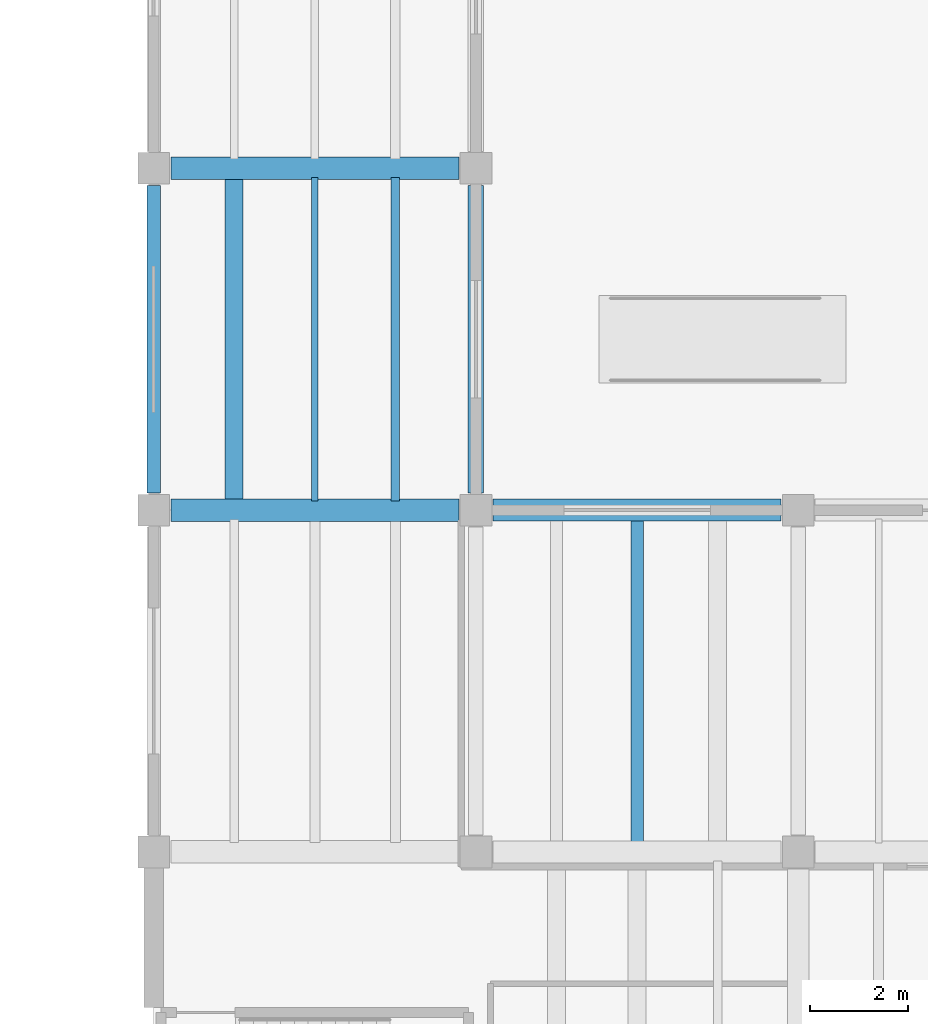
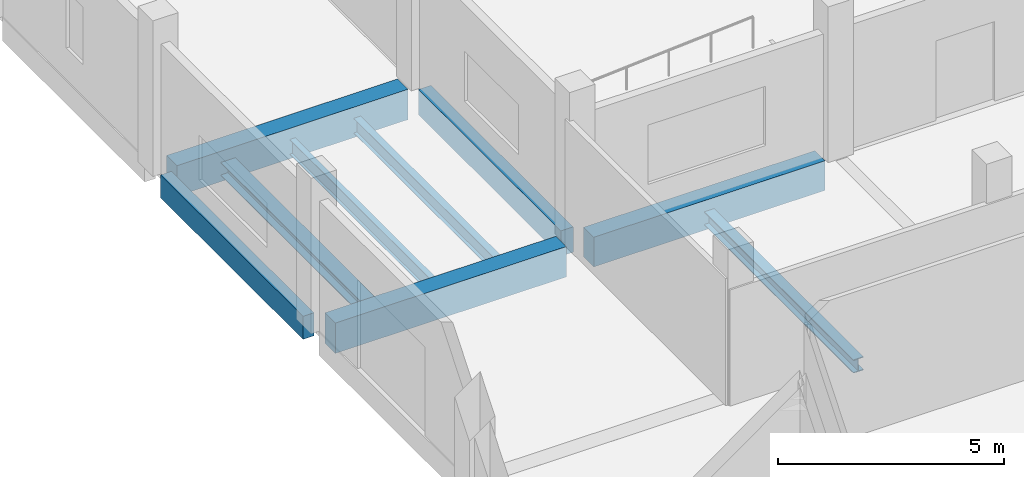
# One storey, part 9 of 69: 9 beams.
"""IFC4 building model written with IfcOpenShell, lengths in metres."""

from ifc_helpers import new_model, si_unit, direction, frame, origin, origin_2d, place, context, subcontext, project, spatial, rectangle, i_section, extrude, material, material_profile, profile_set, type_object, element, save


model = new_model("IFC4")

# Units and contexts
model_context = context("Model", 3, precision=1e-05, world=origin(), true_north=direction((0.0, 1.0)))
body_context = subcontext(model_context, "Body", "Model", "MODEL_VIEW")
ifc_project = project(units=[si_unit("LENGTHUNIT", "METRE"), si_unit("AREAUNIT", "SQUARE_METRE"), si_unit("VOLUMEUNIT", "CUBIC_METRE"), si_unit("PLANEANGLEUNIT", "RADIAN"), si_unit("MASSUNIT", "GRAM", prefix="KILO")], contexts=[model_context])

# Site, building, storey
site_placement = place(None, origin())
site = spatial("IfcSite", under=ifc_project, at=site_placement, CompositionType="ELEMENT")
building_placement = place(site_placement, origin())
building = spatial("IfcBuilding", under=site, at=building_placement, Name="Ciguamira Faculty of Natural Sciences", CompositionType="ELEMENT")
storey_placement = place(building_placement, origin())
storey = spatial("IfcBuildingStorey", under=building, at=storey_placement, Name="L00", CompositionType="ELEMENT", Elevation=0.0)

# Beams
ifc_material_1 = material(Name="Concrete C40/50", Category="concrete")
ifc_material_profile_1 = material_profile(ifc_material_1, rectangle(XDim=0.4599609375, YDim=0.820068359375, at=origin_2d()), Name="RC-BM-460X820")
ifc_profile_set_1 = profile_set([ifc_material_profile_1], Name="Concrete C40/50")
beam_type_1 = type_object("IfcBeamType", Name="RCBeam_BG-04_RC-BM-460X820", PredefinedType="BEAM", material=ifc_profile_set_1)
for number, where, z_axis, x_axis, name in (
    (1, (57.64990234375, 59.0, -0.409912109375), (1.0, 0.0, 0.0), (0.0, 1.0, 0.0), "L00 RC girder EW-0118"),
    (2, (57.64990234375, 66.0, -0.409912109375), (1.0, 0.0, 0.0), (0.0, 1.0, 0.0), "L00 RC girder EW-0127"),
):
    element("IfcBeam", number, at=place(storey_placement, frame(where, z_axis=z_axis, x_axis=x_axis)), inside=storey, type_object=beam_type_1, Name=name, PredefinedType="BEAM", context=body_context, shape_type="SweptSolid", body=[
        extrude(rectangle(XDim=0.4599609375, YDim=0.820068359375, at=origin_2d()), origin(), (0.0, 0.0, 1.0), 5.900146484375),
    ])
ifc_material_profile_2 = material_profile(ifc_material_1, rectangle(XDim=0.449951171875, YDim=0.800048828125, at=origin_2d()), Name="RC-BM-450X800")
ifc_profile_set_2 = profile_set([ifc_material_profile_2], Name="Concrete C40/50")
beam_type_2 = type_object("IfcBeamType", Name="RCBeam_BG-05_RC-BM-450X800", PredefinedType="BEAM", material=ifc_profile_set_2)
beam_1_placement = place(storey_placement, frame((64.25, 59.0, -0.39990234375), z_axis=(1.0, 0.0, 0.0), x_axis=(0.0, 1.0, 0.0)))
element("IfcBeam", 3, at=beam_1_placement, inside=storey, type_object=beam_type_2, Name="L00 RC girder EW-0119", PredefinedType="BEAM", context=body_context, shape_type="SweptSolid", body=[
    extrude(rectangle(XDim=0.449951171875, YDim=0.800048828125, at=origin_2d()), origin(), (0.0, 0.0, 1.0), 5.89990234375),
])
ifc_material_2 = material(Name="Precast concrete C40/50", Category="concrete")
ifc_material_profile_3 = material_profile(ifc_material_2, rectangle(XDim=0.280029296875, YDim=0.6201171875, at=origin_2d()), Name="RC-SP-280X620")
ifc_profile_set_3 = profile_set([ifc_material_profile_3], Name="Precast concrete C40/50")
beam_type_3 = type_object("IfcBeamType", Name="RCBeam_SP-01_RC-SP-280X620", PredefinedType="SPANDREL", material=ifc_profile_set_3)
beam_2_placement = place(storey_placement, frame((57.300048828125, 59.35009765625, -0.31005859375), z_axis=(0.0, 1.0, 0.0), x_axis=(-1.0, 0.0, 0.0)))
element("IfcBeam", 4, at=beam_2_placement, inside=storey, type_object=beam_type_3, Name="L00 girder NS-0222", PredefinedType="SPANDREL", context=body_context, shape_type="SweptSolid", body=[
    extrude(rectangle(XDim=0.280029296875, YDim=0.6201171875, at=origin_2d()), origin(), (0.0, 0.0, 1.0), 6.2998046875),
])
ifc_material_profile_4 = material_profile(ifc_material_2, rectangle(XDim=0.320068359375, YDim=0.679931640625, at=origin_2d()), Name="RC-SP-320X680")
ifc_profile_set_4 = profile_set([ifc_material_profile_4], Name="Precast concrete C40/50")
beam_type_4 = type_object("IfcBeamType", Name="RCBeam_SP-02_RC-SP-320X680", PredefinedType="SPANDREL", material=ifc_profile_set_4)
beam_3_placement = place(storey_placement, frame((63.89990234375, 59.35009765625, -0.340087890625), z_axis=(0.0, 1.0, 0.0), x_axis=(-1.0, 0.0, 0.0)))
element("IfcBeam", 5, at=beam_3_placement, inside=storey, type_object=beam_type_4, Name="L00 girder NS-0234", PredefinedType="SPANDREL", context=body_context, shape_type="SweptSolid", body=[
    extrude(rectangle(XDim=0.320068359375, YDim=0.679931640625, at=origin_2d()), origin(), (0.0, 0.0, 1.0), 6.2998046875),
])
ifc_material_3 = material(Name="Steel ASTM A992 Grade 50", Category="steel")
ifc_material_profile_5 = material_profile(ifc_material_3, i_section(OverallWidth=0.256591796875, OverallDepth=0.36328125, WebThickness=0.012939453125, FlangeThickness=0.021728515625, at=origin_2d()), Name="W14X82")
ifc_profile_set_5 = profile_set([ifc_material_profile_5], Name="Steel ASTM A992 Grade 50")
beam_type_5 = type_object("IfcBeamType", Name="SteelJoist_SJ-15_W14X82", PredefinedType="JOIST", material=ifc_profile_set_5)
beam_4_placement = place(storey_placement, frame((67.199951171875, 52.18505859375, -0.481689453125), z_axis=(0.0, 1.0, 0.0), x_axis=(-1.0, 0.0, 0.0)))
element("IfcBeam", 6, at=beam_4_placement, inside=storey, type_object=beam_type_5, Name="L00 composite steel joist 00105", PredefinedType="JOIST", context=body_context, shape_type="SweptSolid", body=[
    extrude(i_section(OverallWidth=0.256591796875, OverallDepth=0.36328125, WebThickness=0.012939453125, FlangeThickness=0.021728515625, at=origin_2d()), origin(), (0.0, 0.0, 1.0), 6.6298828125),
])
ifc_material_profile_6 = material_profile(ifc_material_3, i_section(OverallWidth=0.368408203125, OverallDepth=0.355712890625, WebThickness=0.01123046875, FlangeThickness=0.01806640625, at=origin_2d()), Name="W14X90")
ifc_profile_set_6 = profile_set([ifc_material_profile_6], Name="Steel ASTM A992 Grade 50")
beam_type_6 = type_object("IfcBeamType", Name="SteelJoist_SJ-16_W14X90", PredefinedType="JOIST", material=ifc_profile_set_6)
beam_5_placement = place(storey_placement, frame((58.949951171875, 59.18994140625, -0.477783203125), z_axis=(0.0, 1.0, 0.0), x_axis=(-1.0, 0.0, 0.0)))
element("IfcBeam", 7, at=beam_5_placement, inside=storey, type_object=beam_type_6, Name="L00 composite steel joist 00074", PredefinedType="JOIST", context=body_context, shape_type="SweptSolid", body=[
    extrude(i_section(OverallWidth=0.368408203125, OverallDepth=0.355712890625, WebThickness=0.01123046875, FlangeThickness=0.01806640625, at=origin_2d()), origin(), (0.0, 0.0, 1.0), 6.6201171875),
])
ifc_material_profile_7 = material_profile(ifc_material_3, i_section(OverallWidth=0.140380859375, OverallDepth=0.40380859375, WebThickness=0.007080078125, FlangeThickness=0.01123046875, at=origin_2d()), Name="W16X31")
ifc_profile_set_7 = profile_set([ifc_material_profile_7], Name="Steel ASTM A992 Grade 50")
beam_type_7 = type_object("IfcBeamType", Name="SteelJoist_SJ-17_W16X31", PredefinedType="JOIST", material=ifc_profile_set_7)
beam_6_placement = place(storey_placement, frame((60.60009765625, 59.18994140625, -0.501953125), z_axis=(0.0, 1.0, 0.0), x_axis=(-1.0, 0.0, 0.0)))
element("IfcBeam", 8, at=beam_6_placement, inside=storey, type_object=beam_type_7, Name="L00 composite steel joist 00075", PredefinedType="JOIST", context=body_context, shape_type="SweptSolid", body=[
    extrude(i_section(OverallWidth=0.140380859375, OverallDepth=0.40380859375, WebThickness=0.007080078125, FlangeThickness=0.01123046875, at=origin_2d()), origin(), (0.0, 0.0, 1.0), 6.6201171875),
])
ifc_material_profile_8 = material_profile(ifc_material_3, i_section(OverallWidth=0.177490234375, OverallDepth=0.40380859375, WebThickness=0.007568359375, FlangeThickness=0.010986328125, at=origin_2d()), Name="W16X36")
ifc_profile_set_8 = profile_set([ifc_material_profile_8], Name="Steel ASTM A992 Grade 50")
beam_type_8 = type_object("IfcBeamType", Name="SteelJoist_SJ-18_W16X36", PredefinedType="JOIST", material=ifc_profile_set_8)
beam_7_placement = place(storey_placement, frame((62.25, 59.18994140625, -0.501953125), z_axis=(0.0, 1.0, 0.0), x_axis=(-1.0, 0.0, 0.0)))
element("IfcBeam", 9, at=beam_7_placement, inside=storey, type_object=beam_type_8, Name="L00 composite steel joist 00076", PredefinedType="JOIST", context=body_context, shape_type="SweptSolid", body=[
    extrude(i_section(OverallWidth=0.177490234375, OverallDepth=0.40380859375, WebThickness=0.007568359375, FlangeThickness=0.010986328125, at=origin_2d()), origin(), (0.0, 0.0, 1.0), 6.6201171875),
])

save(model, "model.ifc")
